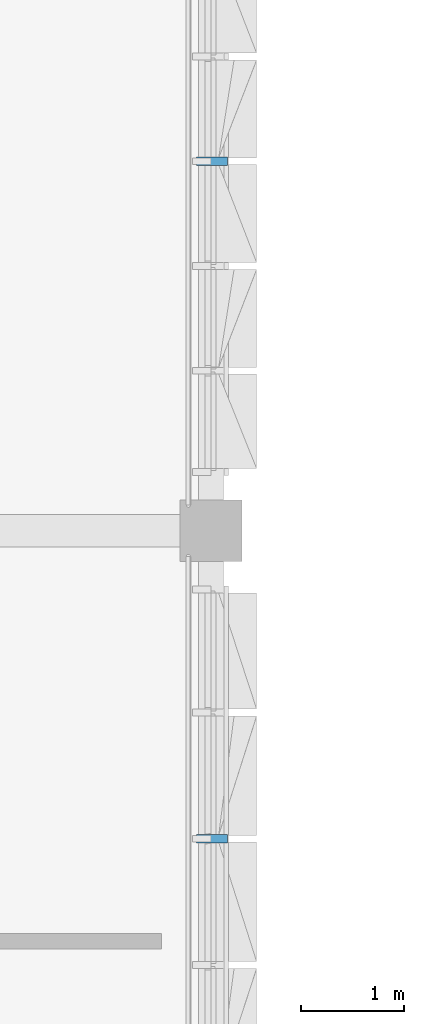
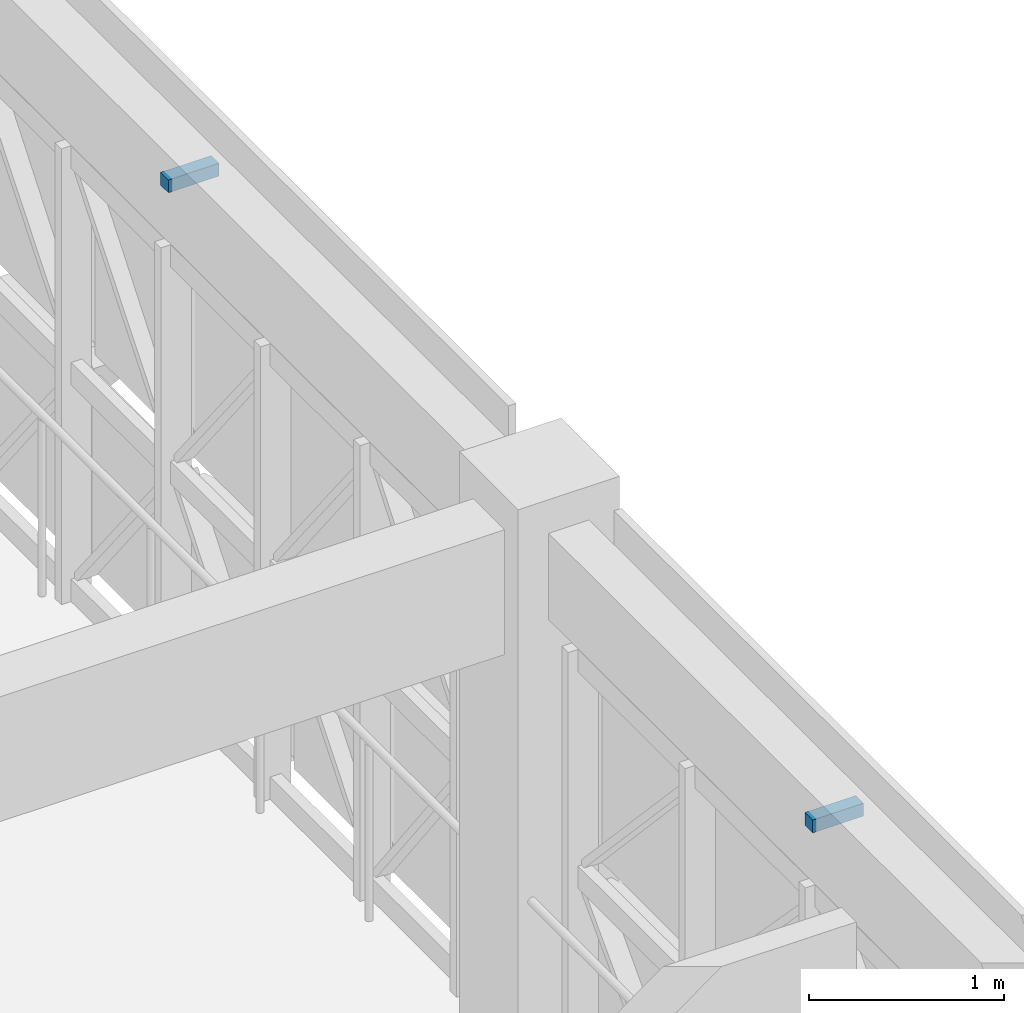
# One storey, part 67 of 85: 2 discrete accessories.
"""IFC4 building model written with IfcOpenShell, lengths in metres."""

from ifc_helpers import new_model, si_unit, direction, frame, origin, origin_2d, place, context, subcontext, project, spatial, rectangle, extrude, material, type_object, element, save


model = new_model("IFC4")

# Units and contexts
model_context = context("Model", 3, precision=1e-05, world=origin(), true_north=direction((0.0, 1.0)))
body_context = subcontext(model_context, "Body", "Model", "MODEL_VIEW")
ifc_project = project(units=[si_unit("LENGTHUNIT", "METRE"), si_unit("AREAUNIT", "SQUARE_METRE"), si_unit("VOLUMEUNIT", "CUBIC_METRE"), si_unit("PLANEANGLEUNIT", "RADIAN"), si_unit("MASSUNIT", "GRAM", prefix="KILO")], contexts=[model_context])

# Site, building, storey
site_placement = place(None, origin())
site = spatial("IfcSite", under=ifc_project, at=site_placement, CompositionType="ELEMENT")
building_placement = place(site_placement, origin())
building = spatial("IfcBuilding", under=site, at=building_placement, Name="Alvorim Cloister Faculty of Sciences", CompositionType="ELEMENT")
storey_placement = place(building_placement, frame((0.0, 0.0, 8.550048828125)))
storey = spatial("IfcBuildingStorey", under=building, at=storey_placement, Name="L02", CompositionType="ELEMENT", Elevation=8.550048828125)

# Discrete accessories
ifc_material = material(Name="Aluminium Alloy 6063-T6", Category="aluminium")
discrete_accessory_type = type_object("IfcDiscreteAccessoryType", Name="ACC-DIAG-BAR", PredefinedType="BRACKET", material=ifc_material)
for number, where, z_axis, x_axis, name in (
    (1, (64.659912109375, 52.800048828125, 3.224853515625), (1.0, 0.0, 0.0), (0.0, 1.0, 0.0), "Slab-Edge Fascia Tie Bracket ACC-00625"),
    (2, (64.659912109375, 46.199951171875, 3.224853515625), (1.0, 0.0, 0.0), (0.0, 1.0, 0.0), "Slab-Edge Fascia Tie Bracket ACC-00634"),
):
    element("IfcDiscreteAccessory", number, at=place(storey_placement, frame(where, z_axis=z_axis, x_axis=x_axis)), inside=storey, type_object=discrete_accessory_type, Name=name, PredefinedType="BRACKET", context=body_context, shape_type="SweptSolid", body=[
        extrude(rectangle(XDim=0.080078125, YDim=0.080078125, at=origin_2d()), origin(), (0.0, 0.0, 1.0), 0.300048828125),
    ])

save(model, "model.ifc")
